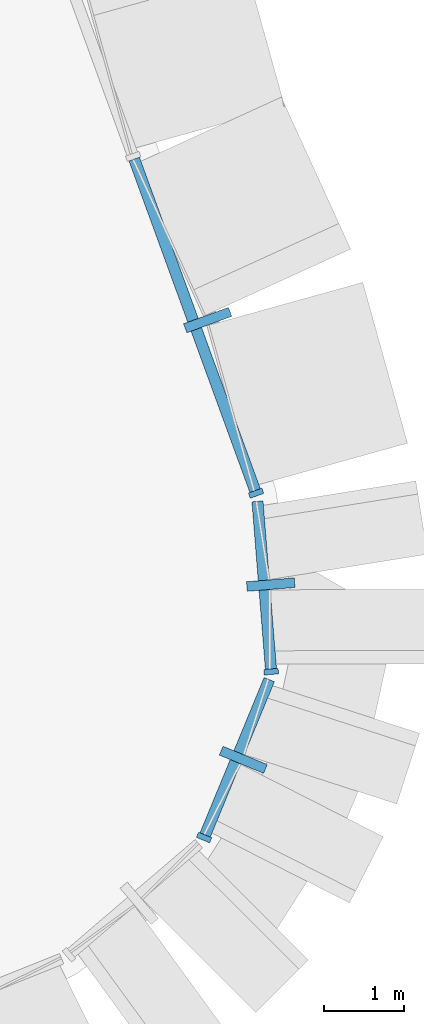
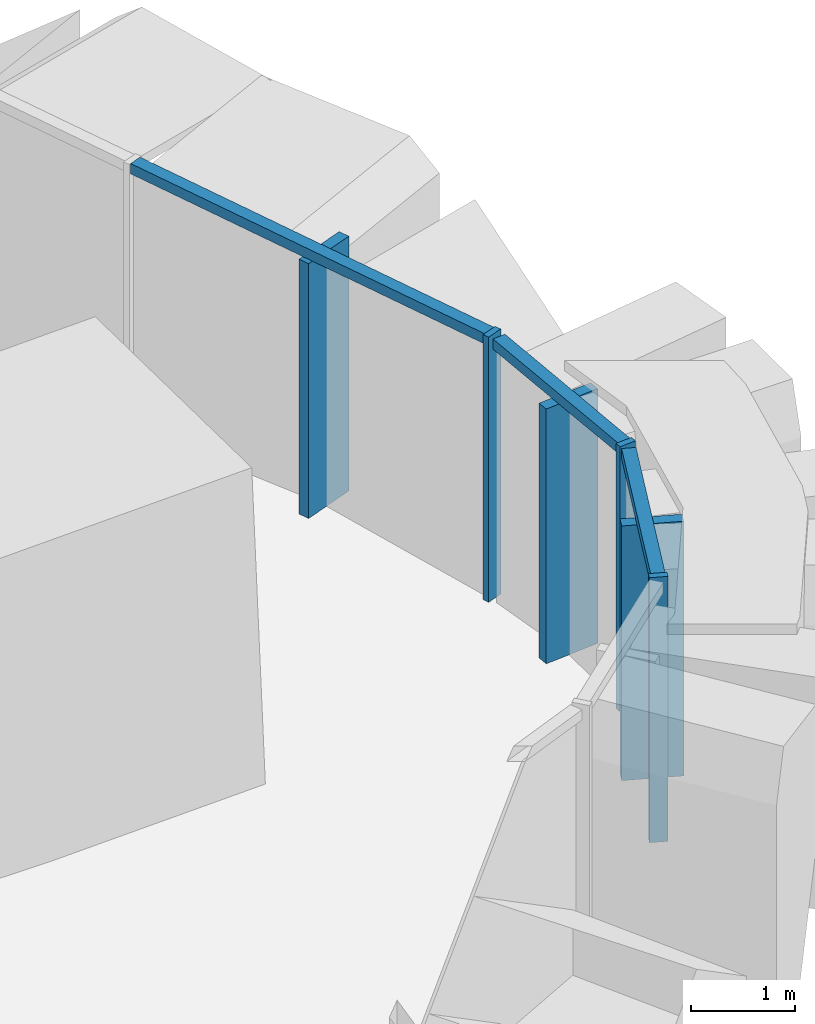
# One storey, part 8 of 23: 9 members, 3 elements without a shape of their own.
"""IFC4 building model written with IfcOpenShell, lengths in metres."""

import ifcopenshell
import ifcopenshell.guid

model = None  # the IFC model being written
_history = None  # IfcOwnerHistory: only IFC2X3 demands one
_inside = {}  # id of a spatial element -> (the spatial element, [elements in it])
_under = {}  # id of a project, library or spatial element -> (it, [spatial elements below it])
_declared = {}  # id of a project -> (the project, [libraries it declares])
_typed = {}  # id of a type object -> (the type object, [elements of that type])
_made_of = {}  # id of a material, layer set ... -> (it, [elements and type objects made of it])


def new_model(schema):
    """Start an empty IFC model of exactly this schema.

    Asked for "IFC4X3", IfcOpenShell would pick the latest addendum, in which some entities
    have other attributes; the version numbers below select the first issue.
    IFC2X3 requires an IfcOwnerHistory on every rooted entity: one is made here for all.
    """
    global model, _history
    if schema == "IFC4X3":
        model = ifcopenshell.file(schema_version=(4, 3, 0, 0))
    else:
        model = ifcopenshell.file(schema=schema)
    _inside.clear()
    _under.clear()
    _declared.clear()
    _typed.clear()
    _made_of.clear()
    _history = None
    if model.schema == "IFC2X3":
        org = make("IfcOrganization", Name="unknown")
        user = make(
            "IfcPersonAndOrganization",
            ThePerson=make("IfcPerson", FamilyName="unknown"),
            TheOrganization=org,
        )
        app = make(
            "IfcApplication",
            ApplicationDeveloper=org,
            Version="unknown",
            ApplicationFullName="unknown",
            ApplicationIdentifier="unknown",
        )
        _history = make(
            "IfcOwnerHistory",
            OwningUser=user,
            OwningApplication=app,
            ChangeAction="ADDED",
            CreationDate=0,
        )
    return model


def make(cls, **values):
    """One entity of the class cls with the attributes given. An attribute that is None is left unset."""
    return model.create_entity(
        cls, **{name: value for name, value in values.items() if value is not None}
    )


def rooted(cls, **values):
    """An entity with a GlobalId (a new one), such as an element, a storey or a relation."""
    return make(cls, GlobalId=ifcopenshell.guid.new(), OwnerHistory=_history, **values)


def si_unit(unit_type, name, prefix=None):
    """IfcSIUnit, for example si_unit("LENGTHUNIT", "METRE", prefix="MILLI")."""
    return make("IfcSIUnit", UnitType=unit_type, Prefix=prefix, Name=name)


def assignment(units):
    """IfcUnitAssignment: the units of a project."""
    return None if units is None else make("IfcUnitAssignment", Units=units)


def point(xyz):
    """IfcCartesianPoint."""
    return None if xyz is None else make("IfcCartesianPoint", Coordinates=xyz)


def direction(xyz):
    """IfcDirection."""
    return None if xyz is None else make("IfcDirection", DirectionRatios=xyz)


def frame(location, z_axis=None, x_axis=None):
    """IfcAxis2Placement3D, a coordinate frame: its origin and axes. An axis left out is left unset."""
    return make(
        "IfcAxis2Placement3D",
        Location=point(location),
        Axis=direction(z_axis),
        RefDirection=direction(x_axis),
    )


def frame_2d(location, x_axis=None):
    """IfcAxis2Placement2D, a coordinate frame in the plane: its origin and x axis."""
    return make(
        "IfcAxis2Placement2D", Location=point(location), RefDirection=direction(x_axis)
    )


def origin():
    """The frame at (0, 0, 0) with its axes left unset."""
    return frame((0.0, 0.0, 0.0))


def origin_2d():
    """The frame at (0, 0) in the plane with its x axis left unset."""
    return frame_2d((0.0, 0.0))


def place(relative_to, where):
    """IfcLocalPlacement: puts the frame where relative to a parent placement (None: the world)."""
    return make(
        "IfcLocalPlacement", PlacementRelTo=relative_to, RelativePlacement=where
    )


def context(
    kind, dimensions, precision=None, world=None, true_north=None, identifier=None
):
    """IfcGeometricRepresentationContext, for example the 3D "Model" context."""
    return make(
        "IfcGeometricRepresentationContext",
        ContextIdentifier=identifier,
        ContextType=kind,
        CoordinateSpaceDimension=dimensions,
        Precision=precision,
        WorldCoordinateSystem=world,
        TrueNorth=true_north,
    )


def subcontext(parent, identifier, kind, view, scale=None):
    """IfcGeometricRepresentationSubContext, for example "Body" below "Model"."""
    return make(
        "IfcGeometricRepresentationSubContext",
        ContextIdentifier=identifier,
        ContextType=kind,
        ParentContext=parent,
        TargetScale=scale,
        TargetView=view,
    )


def project(units=None, contexts=None):
    """IfcProject with its units and contexts."""
    return rooted(
        "IfcProject",
        Name="project",
        RepresentationContexts=contexts,
        UnitsInContext=assignment(units),
    )


def spatial(cls, under=None, at=None, **own):
    """A site, building, storey or space (cls), placed at a placement, below another one or the project."""
    s = rooted(cls, ObjectPlacement=at, **own)
    if under is not None:
        _under.setdefault(under.id(), (under, []))[1].append(s)
    return s


def profile(cls, at=None, kind="AREA", **sizes):
    """A parametric profile (cls). Its sizes go by their IFC names, for example OverallWidth=200.0."""
    return make(cls, ProfileType=kind, Position=at, **sizes)


def rectangle(**sizes):
    """IfcRectangleProfileDef."""
    return profile("IfcRectangleProfileDef", **sizes)


def extrude(swept, where, along, depth):
    """IfcExtrudedAreaSolid: the profile swept, set in the frame where, extruded along a direction by depth."""
    return make(
        "IfcExtrudedAreaSolid",
        SweptArea=swept,
        Position=where,
        ExtrudedDirection=direction(along),
        Depth=depth,
    )


def shape(context_of_items, identifier, shape_type, items):
    """IfcShapeRepresentation: the items that make up one representation, for example the "Body"."""
    return make(
        "IfcShapeRepresentation",
        ContextOfItems=context_of_items,
        RepresentationIdentifier=identifier,
        RepresentationType=shape_type,
        Items=items,
    )


def material(Name=None, Category=None):
    """IfcMaterial."""
    return make("IfcMaterial", Name=Name, Category=Category)


def layer(
    of_material, thickness, ventilated=None, Name=None, Category=None, Priority=None
):
    """IfcMaterialLayer: one layer of a wall or slab, of a material (None: an air gap)."""
    return make(
        "IfcMaterialLayer",
        Material=of_material,
        LayerThickness=thickness,
        IsVentilated=ventilated,
        Name=Name,
        Category=Category,
        Priority=Priority,
    )


def layer_set(layers, Name=None):
    """IfcMaterialLayerSet."""
    return make("IfcMaterialLayerSet", MaterialLayers=layers, LayerSetName=Name)


def material_profile(
    of_material, cross_section, Name=None, Category=None, Priority=None
):
    """IfcMaterialProfile: a cross section and its material."""
    return make(
        "IfcMaterialProfile",
        Name=Name,
        Material=of_material,
        Profile=cross_section,
        Priority=Priority,
        Category=Category,
    )


def profile_set(profiles, Name=None, composite=None):
    """IfcMaterialProfileSet."""
    return make(
        "IfcMaterialProfileSet",
        Name=Name,
        MaterialProfiles=profiles,
        CompositeProfile=composite,
    )


def made_of(thing, what):
    """Note that an element or type object is made of a material, layer set ...; save() writes the relation."""
    if what is not None:
        _made_of.setdefault(what.id(), (what, []))[1].append(thing)
    return thing


def type_object(cls, material=None, **own):
    """A type object (cls), such as IfcWallType, which elements share."""
    return made_of(rooted(cls, **own), material)


def element(
    cls,
    number,
    at=None,
    inside=None,
    cuts=None,
    type_object=None,
    material=None,
    context=None,
    identifier="Body",
    shape_type=None,
    held_by="IfcProductDefinitionShape",
    body=None,
    shapes=None,
    **own,
):
    """One element of the class cls, such as IfcWall. Its Tag is "e" and its number.

    at: its placement. inside: the storey or other place that contains it. cuts: it is an
    opening in that element (IfcRelVoidsElement). A single representation is given by context,
    identifier, shape_type and body (its items); several are given by shapes. held_by: the class
    of the entity that holds the representations. save() writes the other relations.
    """
    e = rooted(cls, Tag="e%d" % number, ObjectPlacement=at, **own)
    if body is not None:
        shapes = [shape(context, identifier, shape_type, body)]
    if shapes is not None:
        e.Representation = make(held_by, Representations=shapes)
    if inside is not None:
        _inside.setdefault(inside.id(), (inside, []))[1].append(e)
    if cuts is not None:
        rooted(
            "IfcRelVoidsElement", RelatingBuildingElement=cuts, RelatedOpeningElement=e
        )
    if type_object is not None:
        _typed.setdefault(type_object.id(), (type_object, []))[1].append(e)
    return made_of(e, material)


def aggregate(whole, parts):
    """IfcRelAggregates: a whole, such as a stair, and the parts it consists of."""
    return rooted("IfcRelAggregates", RelatingObject=whole, RelatedObjects=parts)


def save(model, path):
    """Write the relations noted so far, then the file.

    IfcRelAggregates (storeys below a building ...), IfcRelContainedInSpatialStructure (elements
    in a storey), IfcRelDefinesByType, IfcRelAssociatesMaterial and IfcRelDeclares: one each for
    every whole, place, type object, material and project.
    """
    for whole, parts in _under.values():
        aggregate(whole, parts)
    for where, things in _inside.values():
        rooted(
            "IfcRelContainedInSpatialStructure",
            RelatedElements=things,
            RelatingStructure=where,
        )
    for kind, things in _typed.values():
        rooted("IfcRelDefinesByType", RelatedObjects=things, RelatingType=kind)
    for what, things in _made_of.values():
        rooted("IfcRelAssociatesMaterial", RelatedObjects=things, RelatingMaterial=what)
    for by, libraries in _declared.values():
        rooted("IfcRelDeclares", RelatingContext=by, RelatedDefinitions=libraries)
    model.write(path)


model = new_model("IFC4")

# Units and contexts
model_context = context("Model", 3, precision=1e-05, world=origin(), true_north=direction((0.0, 1.0)))
body_context = subcontext(model_context, "Body", "Model", "MODEL_VIEW")
ifc_project = project(units=[si_unit("LENGTHUNIT", "METRE"), si_unit("AREAUNIT", "SQUARE_METRE"), si_unit("VOLUMEUNIT", "CUBIC_METRE"), si_unit("PLANEANGLEUNIT", "RADIAN"), si_unit("MASSUNIT", "GRAM", prefix="KILO")], contexts=[model_context])

# Site, building, storey
site_placement = place(None, origin())
site = spatial("IfcSite", under=ifc_project, at=site_placement, CompositionType="ELEMENT")
building_placement = place(site_placement, origin())
building = spatial("IfcBuilding", under=site, at=building_placement, Name="Sierra Prisma Convention Tower", CompositionType="ELEMENT")
storey_placement = place(building_placement, frame((0.0, 0.0, 51.699951171875)))
storey = spatial("IfcBuildingStorey", under=building, at=storey_placement, Name="L08", CompositionType="ELEMENT", Elevation=51.699951171875)

# Curtain wall, member
ifc_material_1 = material(Name="Aluminium and glass curtain wall", Category="aluminium")
ifc_layer = layer(ifc_material_1, 0.179931640625)
ifc_layer_set = layer_set([ifc_layer], Name="CW-2 Faceted crystal curtain wall")
curtain_wall_type = type_object("IfcCurtainWallType", Name="CW-2 Faceted crystal curtain wall", PredefinedType="NOTDEFINED", material=ifc_layer_set)
curtain_wall_1_placement = place(storey_placement, origin())
curtain_wall_1 = element("IfcCurtainWall", 1, at=curtain_wall_1_placement, inside=storey, type_object=curtain_wall_type, Name="CW-2 SE2 L08", PredefinedType="NOTDEFINED")
ifc_material_2 = material(Name="Aluminium 6063-T6 bronze anodised", Category="aluminium")
ifc_material_profile_1 = material_profile(ifc_material_2, rectangle(XDim=0.1201171875, YDim=0.60009765625, at=origin_2d()), Name="ALU RIDGE BLADE 120x600")
ifc_profile_set_1 = profile_set([ifc_material_profile_1], Name="Aluminium 6063-T6 bronze anodised")
member_type_1 = type_object("IfcMemberType", Name="CW hip bronze", PredefinedType="MULLION", material=ifc_profile_set_1)
member_1_placement = place(storey_placement, frame((31.962890625, -18.79150390625, 0.0), z_axis=(0.0, 0.0, 1.0), x_axis=(0.381451296407, 0.924388937877, 0.0)))
member_1 = element("IfcMember", 2, at=member_1_placement, type_object=member_type_1, Name="CW-2 ridge SE2.1", PredefinedType="MULLION", context=body_context, shape_type="SweptSolid", body=[
    extrude(rectangle(XDim=0.1201171875, YDim=0.60009765625, at=origin_2d()), origin(), (0.0, 0.0, 1.0), 2.97998046875),
])

curtain_wall_2_placement = place(storey_placement, origin())
curtain_wall_2 = element("IfcCurtainWall", 3, at=curtain_wall_2_placement, inside=storey, type_object=curtain_wall_type, Name="CW-2 SE3 L08", PredefinedType="NOTDEFINED")
member_2_placement = place(storey_placement, frame((32.30712890625, -16.595703125, 0.0), z_axis=(0.0, 0.0, 1.0), x_axis=(-0.080124646762, 0.996784851902, 0.0)))
member_2 = element("IfcMember", 4, at=member_2_placement, type_object=member_type_1, Name="CW-2 ridge SE3.1", PredefinedType="MULLION", context=body_context, shape_type="SweptSolid", body=[
    extrude(rectangle(XDim=0.1201171875, YDim=0.60009765625, at=origin_2d()), origin(), (0.0, 0.0, 1.0), 2.97998046875),
])

curtain_wall_3_placement = place(storey_placement, origin())
curtain_wall_3 = element("IfcCurtainWall", 5, at=curtain_wall_3_placement, inside=storey, type_object=curtain_wall_type, Name="CW-2 NE1 L08", PredefinedType="NOTDEFINED")
member_3_placement = place(storey_placement, frame((31.516357421875, -13.280029296875, 0.0), z_axis=(0.0, 0.0, 1.0), x_axis=(-0.342675826115, 0.939453712642, 0.0)))
member_3 = element("IfcMember", 6, at=member_3_placement, type_object=member_type_1, Name="CW-2 ridge NE1.1", PredefinedType="MULLION", context=body_context, shape_type="SweptSolid", body=[
    extrude(rectangle(XDim=0.1201171875, YDim=0.60009765625, at=origin_2d()), origin(), (0.0, 0.0, 1.0), 2.97998046875),
])

# Member
ifc_material_3 = material(Name="Aluminium 6063-T6 bronze anodised", Category="aluminium")
ifc_material_profile_2 = material_profile(ifc_material_3, rectangle(XDim=0.179931640625, YDim=0.070068359375, at=origin_2d()), Name="ALU MULLION 70x180")
ifc_profile_set_2 = profile_set([ifc_material_profile_2], Name="Aluminium 6063-T6 bronze anodised")
member_type_2 = type_object("IfcMemberType", Name="CW mullion bronze", PredefinedType="MULLION", material=ifc_profile_set_2)
member_4_placement = place(storey_placement, frame((31.47119140625, -19.765625, 0.0), z_axis=(0.0, 0.0, 1.0), x_axis=(-0.924388937877, 0.381451296407, 0.0)))
member_4 = element("IfcMember", 7, at=member_4_placement, type_object=member_type_2, Name="CW-1 mullion SE2.1", PredefinedType="MULLION", context=body_context, shape_type="SweptSolid", body=[
    extrude(rectangle(XDim=0.179931640625, YDim=0.070068359375, at=origin_2d()), origin(), (0.0, 0.0, 1.0), 3.10009765625),
])

member_5_placement = place(storey_placement, frame((32.311767578125, -17.68701171875, 0.0), z_axis=(0.0, 0.0, 1.0), x_axis=(-0.996784851902, -0.080124646762, 0.0)))
member_5 = element("IfcMember", 8, at=member_5_placement, type_object=member_type_2, Name="CW-1 mullion SE3.1", PredefinedType="MULLION", context=body_context, shape_type="SweptSolid", body=[
    extrude(rectangle(XDim=0.179931640625, YDim=0.070068359375, at=origin_2d()), origin(), (0.0, 0.0, 1.0), 3.10009765625),
])

member_6_placement = place(storey_placement, frame((32.12255859375, -15.4501953125, 0.0), z_axis=(0.0, 0.0, 1.0), x_axis=(-0.939453712642, -0.342675826115, 0.0)))
member_6 = element("IfcMember", 9, at=member_6_placement, type_object=member_type_2, Name="CW-1 mullion NE1.1", PredefinedType="MULLION", context=body_context, shape_type="SweptSolid", body=[
    extrude(rectangle(XDim=0.179931640625, YDim=0.070068359375, at=origin_2d()), origin(), (0.0, 0.0, 1.0), 3.10009765625),
])

ifc_material_4 = material(Name="Aluminium 6063-T6 bronze anodised", Category="aluminium")
ifc_material_profile_3 = material_profile(ifc_material_4, rectangle(XDim=0.139892578125, YDim=0.1201171875, at=origin_2d()), Name="ALU TRANSOM 120x140")
ifc_profile_set_3 = profile_set([ifc_material_profile_3], Name="Aluminium 6063-T6 bronze anodised")
member_type_3 = type_object("IfcMemberType", Name="CW transom bronze", PredefinedType="USERDEFINED", material=ifc_profile_set_3)
member_7_placement = place(storey_placement, frame((31.484619140625, -19.733154296875, 3.0400390625), z_axis=(0.381402747866, 0.924408970056, 0.0), x_axis=(-0.924408970056, 0.381402747866, 0.0)))
member_7 = element("IfcMember", 10, at=member_7_placement, type_object=member_type_3, Name="CW-1 transom SE2.1", ObjectType="TRANSOM", PredefinedType="USERDEFINED", context=body_context, shape_type="SweptSolid", body=[
    extrude(rectangle(XDim=0.139892578125, YDim=0.1201171875, at=origin_2d()), origin(), (0.0, 0.0, 1.0), 2.10595703125),
])

aggregate(curtain_wall_1, [member_4, member_7, member_1])

member_8_placement = place(storey_placement, frame((32.30908203125, -17.652099609375, 3.0400390625), z_axis=(-0.080099977058, 0.996786834622, 0.0), x_axis=(-0.996786834622, -0.080099977058, 0.0)))
member_8 = element("IfcMember", 11, at=member_8_placement, type_object=member_type_3, Name="CW-1 transom SE3.1", ObjectType="TRANSOM", PredefinedType="USERDEFINED", context=body_context, shape_type="SweptSolid", body=[
    extrude(rectangle(XDim=0.139892578125, YDim=0.1201171875, at=origin_2d()), origin(), (0.0, 0.0, 1.0), 2.106201171875),
])

aggregate(curtain_wall_2, [member_5, member_8, member_2])

member_9_placement = place(storey_placement, frame((32.110595703125, -15.417236328125, 3.0400390625), z_axis=(-0.342633784215, 0.93946904681, 0.0), x_axis=(-0.93946904681, -0.342633784215, 0.0)))
member_9 = element("IfcMember", 12, at=member_9_placement, type_object=member_type_3, Name="CW-1 transom NE1.1", ObjectType="TRANSOM", PredefinedType="USERDEFINED", context=body_context, shape_type="SweptSolid", body=[
    extrude(rectangle(XDim=0.139892578125, YDim=0.1201171875, at=origin_2d()), origin(), (0.0, 0.0, 1.0), 4.4228515625),
])

aggregate(curtain_wall_3, [member_6, member_9, member_3])

save(model, "model.ifc")
